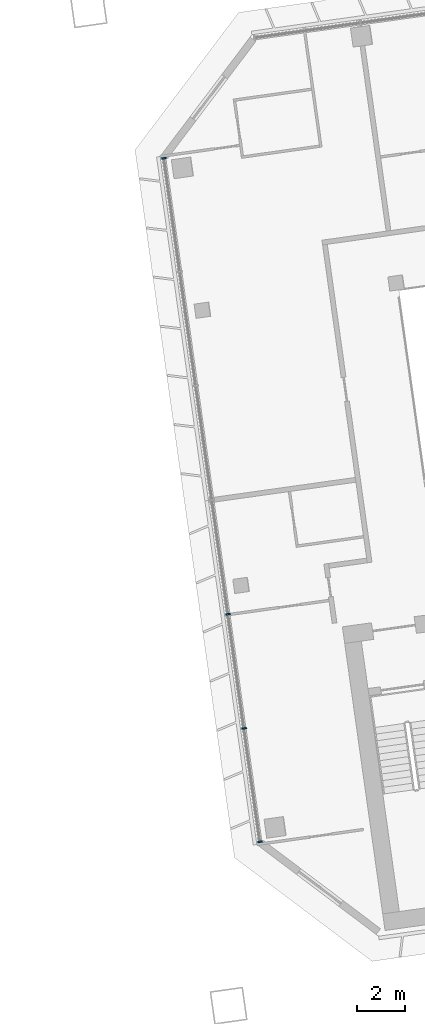
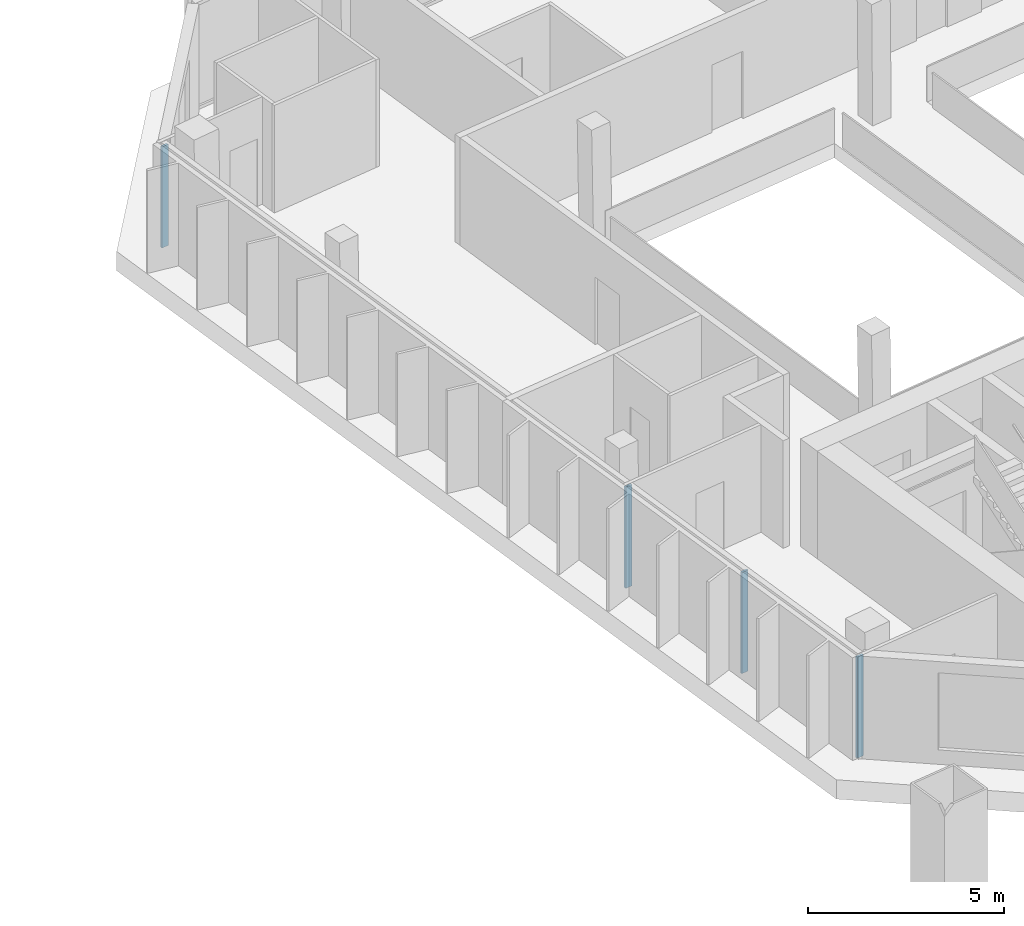
# One storey, part 9 of 26: 4 members, 1 element without a shape of its own.
"""IFC4 building model written with IfcOpenShell, lengths in metres."""

from ifc_helpers import new_model, si_unit, direction, frame, origin, origin_2d, place, context, subcontext, project, spatial, rectangle, extrude, material, material_profile, profile_set, type_object, element, aggregate, save


model = new_model("IFC4")

# Units and contexts
model_context = context("Model", 3, precision=1e-05, world=origin(), true_north=direction((0.0, 1.0)))
body_context = subcontext(model_context, "Body", "Model", "MODEL_VIEW")
ifc_project = project(units=[si_unit("LENGTHUNIT", "METRE"), si_unit("AREAUNIT", "SQUARE_METRE"), si_unit("VOLUMEUNIT", "CUBIC_METRE"), si_unit("PLANEANGLEUNIT", "RADIAN"), si_unit("MASSUNIT", "GRAM", prefix="KILO")], contexts=[model_context])

# Site, building, storey
site_placement = place(None, origin())
site = spatial("IfcSite", under=ifc_project, at=site_placement, CompositionType="ELEMENT")
building_placement = place(site_placement, origin())
building = spatial("IfcBuilding", under=site, at=building_placement, Name="Mirante Cascada Hotel Towers", CompositionType="ELEMENT")
storey_placement = place(building_placement, frame((0.0, 0.0, 161.2)))
storey = spatial("IfcBuildingStorey", under=building, at=storey_placement, Name="L37", CompositionType="ELEMENT", Elevation=161.2)

# Curtain wall, members
ifc_material_1 = material(Name="Aluminium mullion and transom frame with clear laminated glass", Category="aluminium")
curtain_wall_type = type_object("IfcCurtainWallType", Name="End ribbon curtain wall ECW2", PredefinedType="NOTDEFINED", material=ifc_material_1)
curtain_wall_placement = place(storey_placement, origin())
curtain_wall = element("IfcCurtainWall", 1, at=curtain_wall_placement, inside=storey, type_object=curtain_wall_type, Name="Inner end wall T2 L37", PredefinedType="NOTDEFINED")
ifc_material_2 = material(Name="Anodised aluminium extrusion", Category="aluminium")
ifc_material_profile = material_profile(ifc_material_2, rectangle(XDim=0.2, YDim=0.065, at=origin_2d()), Name="ECW2 MULLION 65x200")
ifc_profile_set = profile_set([ifc_material_profile], Name="Anodised aluminium extrusion")
member_type = type_object("IfcMemberType", Name="ECW2 mullion 65x200", PredefinedType="MULLION", material=ifc_profile_set)
member_1_placement = place(storey_placement, frame((28.0425, 12.2718, 0.1), z_axis=(0.0, 0.0, 1.0), x_axis=(0.9902681, 0.1391731, 0.0)))
member_1 = element("IfcMember", 2, at=member_1_placement, type_object=member_type, Name="ECW2 mullion 1", PredefinedType="MULLION", context=body_context, shape_type="SweptSolid", body=[
    extrude(rectangle(XDim=0.2, YDim=0.065, at=origin_2d()), origin(), (0.0, 0.0, 1.0), 3.15),
])
member_2_placement = place(storey_placement, frame((30.7171, -6.7591, 0.1), z_axis=(0.0, 0.0, 1.0), x_axis=(0.9902681, 0.1391731, 0.0)))
member_2 = element("IfcMember", 3, at=member_2_placement, type_object=member_type, Name="ECW2 mullion 5", PredefinedType="MULLION", context=body_context, shape_type="SweptSolid", body=[
    extrude(rectangle(XDim=0.2, YDim=0.065, at=origin_2d()), origin(), (0.0, 0.0, 1.0), 3.15),
])
member_3_placement = place(storey_placement, frame((31.3869, -11.5249, 0.1), z_axis=(0.0, 0.0, 1.0), x_axis=(0.9902681, 0.1391731, 0.0)))
member_3 = element("IfcMember", 4, at=member_3_placement, type_object=member_type, Name="ECW2 mullion 6", PredefinedType="MULLION", context=body_context, shape_type="SweptSolid", body=[
    extrude(rectangle(XDim=0.2, YDim=0.065, at=origin_2d()), origin(), (0.0, 0.0, 1.0), 3.15),
])
member_4_placement = place(storey_placement, frame((32.0522, -16.2585, 0.1), z_axis=(0.0, 0.0, 1.0), x_axis=(0.9902681, 0.1391731, 0.0)))
member_4 = element("IfcMember", 5, at=member_4_placement, type_object=member_type, Name="ECW2 mullion 7", PredefinedType="MULLION", context=body_context, shape_type="SweptSolid", body=[
    extrude(rectangle(XDim=0.2, YDim=0.065, at=origin_2d()), origin(), (0.0, 0.0, 1.0), 3.15),
])
aggregate(curtain_wall, [member_1, member_2, member_3, member_4])

save(model, "model.ifc")
